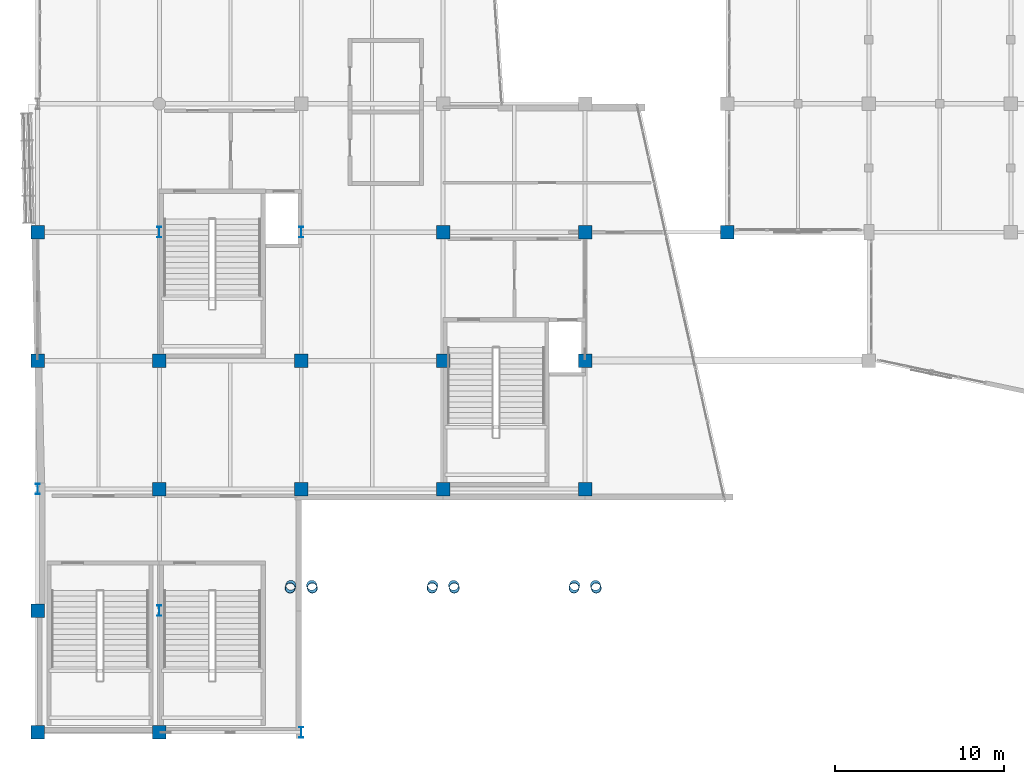
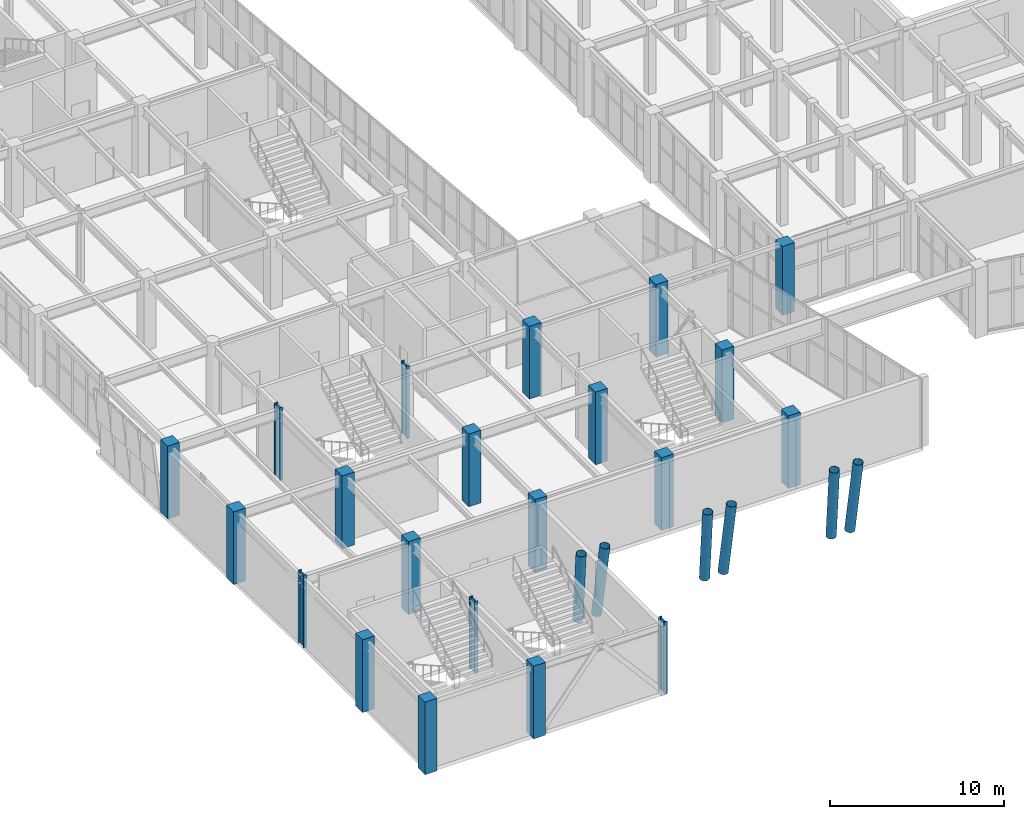
# One storey, part 1 of 128: 27 columns.
"""IFC4 building model written with IfcOpenShell, lengths in metres."""

import ifcopenshell
import ifcopenshell.guid

model = None  # the IFC model being written
_history = None  # IfcOwnerHistory: only IFC2X3 demands one
_inside = {}  # id of a spatial element -> (the spatial element, [elements in it])
_under = {}  # id of a project, library or spatial element -> (it, [spatial elements below it])
_declared = {}  # id of a project -> (the project, [libraries it declares])
_typed = {}  # id of a type object -> (the type object, [elements of that type])
_made_of = {}  # id of a material, layer set ... -> (it, [elements and type objects made of it])


def new_model(schema):
    """Start an empty IFC model of exactly this schema.

    Asked for "IFC4X3", IfcOpenShell would pick the latest addendum, in which some entities
    have other attributes; the version numbers below select the first issue.
    IFC2X3 requires an IfcOwnerHistory on every rooted entity: one is made here for all.
    """
    global model, _history
    if schema == "IFC4X3":
        model = ifcopenshell.file(schema_version=(4, 3, 0, 0))
    else:
        model = ifcopenshell.file(schema=schema)
    _inside.clear()
    _under.clear()
    _declared.clear()
    _typed.clear()
    _made_of.clear()
    _history = None
    if model.schema == "IFC2X3":
        org = make("IfcOrganization", Name="unknown")
        user = make(
            "IfcPersonAndOrganization",
            ThePerson=make("IfcPerson", FamilyName="unknown"),
            TheOrganization=org,
        )
        app = make(
            "IfcApplication",
            ApplicationDeveloper=org,
            Version="unknown",
            ApplicationFullName="unknown",
            ApplicationIdentifier="unknown",
        )
        _history = make(
            "IfcOwnerHistory",
            OwningUser=user,
            OwningApplication=app,
            ChangeAction="ADDED",
            CreationDate=0,
        )
    return model


def make(cls, **values):
    """One entity of the class cls with the attributes given. An attribute that is None is left unset."""
    return model.create_entity(
        cls, **{name: value for name, value in values.items() if value is not None}
    )


def rooted(cls, **values):
    """An entity with a GlobalId (a new one), such as an element, a storey or a relation."""
    return make(cls, GlobalId=ifcopenshell.guid.new(), OwnerHistory=_history, **values)


def si_unit(unit_type, name, prefix=None):
    """IfcSIUnit, for example si_unit("LENGTHUNIT", "METRE", prefix="MILLI")."""
    return make("IfcSIUnit", UnitType=unit_type, Prefix=prefix, Name=name)


def assignment(units):
    """IfcUnitAssignment: the units of a project."""
    return None if units is None else make("IfcUnitAssignment", Units=units)


def point(xyz):
    """IfcCartesianPoint."""
    return None if xyz is None else make("IfcCartesianPoint", Coordinates=xyz)


def direction(xyz):
    """IfcDirection."""
    return None if xyz is None else make("IfcDirection", DirectionRatios=xyz)


def frame(location, z_axis=None, x_axis=None):
    """IfcAxis2Placement3D, a coordinate frame: its origin and axes. An axis left out is left unset."""
    return make(
        "IfcAxis2Placement3D",
        Location=point(location),
        Axis=direction(z_axis),
        RefDirection=direction(x_axis),
    )


def frame_2d(location, x_axis=None):
    """IfcAxis2Placement2D, a coordinate frame in the plane: its origin and x axis."""
    return make(
        "IfcAxis2Placement2D", Location=point(location), RefDirection=direction(x_axis)
    )


def origin():
    """The frame at (0, 0, 0) with its axes left unset."""
    return frame((0.0, 0.0, 0.0))


def origin_2d():
    """The frame at (0, 0) in the plane with its x axis left unset."""
    return frame_2d((0.0, 0.0))


def place(relative_to, where):
    """IfcLocalPlacement: puts the frame where relative to a parent placement (None: the world)."""
    return make(
        "IfcLocalPlacement", PlacementRelTo=relative_to, RelativePlacement=where
    )


def context(
    kind, dimensions, precision=None, world=None, true_north=None, identifier=None
):
    """IfcGeometricRepresentationContext, for example the 3D "Model" context."""
    return make(
        "IfcGeometricRepresentationContext",
        ContextIdentifier=identifier,
        ContextType=kind,
        CoordinateSpaceDimension=dimensions,
        Precision=precision,
        WorldCoordinateSystem=world,
        TrueNorth=true_north,
    )


def subcontext(parent, identifier, kind, view, scale=None):
    """IfcGeometricRepresentationSubContext, for example "Body" below "Model"."""
    return make(
        "IfcGeometricRepresentationSubContext",
        ContextIdentifier=identifier,
        ContextType=kind,
        ParentContext=parent,
        TargetScale=scale,
        TargetView=view,
    )


def project(units=None, contexts=None):
    """IfcProject with its units and contexts."""
    return rooted(
        "IfcProject",
        Name="project",
        RepresentationContexts=contexts,
        UnitsInContext=assignment(units),
    )


def spatial(cls, under=None, at=None, **own):
    """A site, building, storey or space (cls), placed at a placement, below another one or the project."""
    s = rooted(cls, ObjectPlacement=at, **own)
    if under is not None:
        _under.setdefault(under.id(), (under, []))[1].append(s)
    return s


def profile(cls, at=None, kind="AREA", **sizes):
    """A parametric profile (cls). Its sizes go by their IFC names, for example OverallWidth=200.0."""
    return make(cls, ProfileType=kind, Position=at, **sizes)


def rectangle(**sizes):
    """IfcRectangleProfileDef."""
    return profile("IfcRectangleProfileDef", **sizes)


def hollow_circle(**sizes):
    """IfcCircleHollowProfileDef."""
    return profile("IfcCircleHollowProfileDef", **sizes)


def i_section(**sizes):
    """IfcIShapeProfileDef."""
    return profile("IfcIShapeProfileDef", **sizes)


def extrude(swept, where, along, depth):
    """IfcExtrudedAreaSolid: the profile swept, set in the frame where, extruded along a direction by depth."""
    return make(
        "IfcExtrudedAreaSolid",
        SweptArea=swept,
        Position=where,
        ExtrudedDirection=direction(along),
        Depth=depth,
    )


def shape(context_of_items, identifier, shape_type, items):
    """IfcShapeRepresentation: the items that make up one representation, for example the "Body"."""
    return make(
        "IfcShapeRepresentation",
        ContextOfItems=context_of_items,
        RepresentationIdentifier=identifier,
        RepresentationType=shape_type,
        Items=items,
    )


def material(Name=None, Category=None):
    """IfcMaterial."""
    return make("IfcMaterial", Name=Name, Category=Category)


def material_profile(
    of_material, cross_section, Name=None, Category=None, Priority=None
):
    """IfcMaterialProfile: a cross section and its material."""
    return make(
        "IfcMaterialProfile",
        Name=Name,
        Material=of_material,
        Profile=cross_section,
        Priority=Priority,
        Category=Category,
    )


def profile_set(profiles, Name=None, composite=None):
    """IfcMaterialProfileSet."""
    return make(
        "IfcMaterialProfileSet",
        Name=Name,
        MaterialProfiles=profiles,
        CompositeProfile=composite,
    )


def made_of(thing, what):
    """Note that an element or type object is made of a material, layer set ...; save() writes the relation."""
    if what is not None:
        _made_of.setdefault(what.id(), (what, []))[1].append(thing)
    return thing


def type_object(cls, material=None, **own):
    """A type object (cls), such as IfcWallType, which elements share."""
    return made_of(rooted(cls, **own), material)


def element(
    cls,
    number,
    at=None,
    inside=None,
    cuts=None,
    type_object=None,
    material=None,
    context=None,
    identifier="Body",
    shape_type=None,
    held_by="IfcProductDefinitionShape",
    body=None,
    shapes=None,
    **own,
):
    """One element of the class cls, such as IfcWall. Its Tag is "e" and its number.

    at: its placement. inside: the storey or other place that contains it. cuts: it is an
    opening in that element (IfcRelVoidsElement). A single representation is given by context,
    identifier, shape_type and body (its items); several are given by shapes. held_by: the class
    of the entity that holds the representations. save() writes the other relations.
    """
    e = rooted(cls, Tag="e%d" % number, ObjectPlacement=at, **own)
    if body is not None:
        shapes = [shape(context, identifier, shape_type, body)]
    if shapes is not None:
        e.Representation = make(held_by, Representations=shapes)
    if inside is not None:
        _inside.setdefault(inside.id(), (inside, []))[1].append(e)
    if cuts is not None:
        rooted(
            "IfcRelVoidsElement", RelatingBuildingElement=cuts, RelatedOpeningElement=e
        )
    if type_object is not None:
        _typed.setdefault(type_object.id(), (type_object, []))[1].append(e)
    return made_of(e, material)


def aggregate(whole, parts):
    """IfcRelAggregates: a whole, such as a stair, and the parts it consists of."""
    return rooted("IfcRelAggregates", RelatingObject=whole, RelatedObjects=parts)


def save(model, path):
    """Write the relations noted so far, then the file.

    IfcRelAggregates (storeys below a building ...), IfcRelContainedInSpatialStructure (elements
    in a storey), IfcRelDefinesByType, IfcRelAssociatesMaterial and IfcRelDeclares: one each for
    every whole, place, type object, material and project.
    """
    for whole, parts in _under.values():
        aggregate(whole, parts)
    for where, things in _inside.values():
        rooted(
            "IfcRelContainedInSpatialStructure",
            RelatedElements=things,
            RelatingStructure=where,
        )
    for kind, things in _typed.values():
        rooted("IfcRelDefinesByType", RelatedObjects=things, RelatingType=kind)
    for what, things in _made_of.values():
        rooted("IfcRelAssociatesMaterial", RelatedObjects=things, RelatingMaterial=what)
    for by, libraries in _declared.values():
        rooted("IfcRelDeclares", RelatingContext=by, RelatedDefinitions=libraries)
    model.write(path)


model = new_model("IFC4")

# Units and contexts
model_context = context("Model", 3, precision=1e-05, world=origin(), true_north=direction((0.0, 1.0)))
body_context = subcontext(model_context, "Body", "Model", "MODEL_VIEW")
ifc_project = project(units=[si_unit("LENGTHUNIT", "METRE"), si_unit("AREAUNIT", "SQUARE_METRE"), si_unit("VOLUMEUNIT", "CUBIC_METRE"), si_unit("PLANEANGLEUNIT", "RADIAN"), si_unit("MASSUNIT", "GRAM", prefix="KILO")], contexts=[model_context])

# Site, building, storey
site_placement = place(None, origin())
site = spatial("IfcSite", under=ifc_project, at=site_placement, CompositionType="ELEMENT")
building_placement = place(site_placement, origin())
building = spatial("IfcBuilding", under=site, at=building_placement, Name="Xicomal Pleat Aquarium", CompositionType="ELEMENT")
storey_placement = place(building_placement, frame((0.0, 0.0, 5.39990234375)))
storey = spatial("IfcBuildingStorey", under=building, at=storey_placement, Name="L02", CompositionType="ELEMENT", Elevation=5.39990234375)

# Columns
ifc_material_1 = material(Name="Concrete C40/50", Category="concrete")
ifc_material_profile_1 = material_profile(ifc_material_1, rectangle(XDim=0.800048828125, YDim=0.800048828125, at=origin_2d()), Name="RC 800x800")
ifc_profile_set_1 = profile_set([ifc_material_profile_1], Name="Concrete C40/50")
column_type_1 = type_object("IfcColumnType", Name="COL-RC-800x800", PredefinedType="COLUMN", material=ifc_profile_set_1)
for number, where, z_axis, x_axis, name in (
    (1, (3.0, 0.800048828125, 0.0), (0.0, 0.0, 1.0), (1.0, 0.0, 0.0), "L02 column 01/A"),
    (2, (3.0, 8.0, 0.0), (0.0, 0.0, 1.0), (1.0, 0.0, 0.0), "L02 column 01/B"),
    (3, (3.0, 22.800048828125, 0.0), (0.0, 0.0, 1.0), (1.0, 0.0, 0.0), "L02 column 01/D"),
    (4, (3.0, 30.39990234375, 0.0), (0.0, 0.0, 1.0), (1.0, 0.0, 0.0), "L02 column 01/E"),
    (5, (10.199951171875, 0.800048828125, 0.0), (0.0, 0.0, 1.0), (1.0, 0.0, 0.0), "L02 column 02/A"),
    (6, (10.199951171875, 15.199951171875, 0.0), (0.0, 0.0, 1.0), (1.0, 0.0, 0.0), "L02 column 02/C"),
    (7, (10.199951171875, 22.800048828125, 0.0), (0.0, 0.0, 1.0), (1.0, 0.0, 0.0), "L02 column 02/D"),
    (8, (18.60009765625, 15.199951171875, 0.0), (0.0, 0.0, 1.0), (1.0, 0.0, 0.0), "L02 column 03/C"),
    (9, (18.60009765625, 22.800048828125, 0.0), (0.0, 0.0, 1.0), (1.0, 0.0, 0.0), "L02 column 03/D"),
    (10, (27.0, 15.199951171875, 0.0), (0.0, 0.0, 1.0), (1.0, 0.0, 0.0), "L02 column 04/C"),
    (11, (27.0, 22.800048828125, 0.0), (0.0, 0.0, 1.0), (1.0, 0.0, 0.0), "L02 column 04/D"),
    (12, (27.0, 30.39990234375, 0.0), (0.0, 0.0, 1.0), (1.0, 0.0, 0.0), "L02 column 04/E"),
    (13, (35.39990234375, 15.199951171875, 0.0), (0.0, 0.0, 1.0), (1.0, 0.0, 0.0), "L02 column 05/C"),
    (14, (35.39990234375, 22.800048828125, 0.0), (0.0, 0.0, 1.0), (1.0, 0.0, 0.0), "L02 column 05/D"),
    (15, (35.39990234375, 30.39990234375, 0.0), (0.0, 0.0, 1.0), (1.0, 0.0, 0.0), "L02 column 05/E"),
):
    element("IfcColumn", number, at=place(storey_placement, frame(where, z_axis=z_axis, x_axis=x_axis)), inside=storey, type_object=column_type_1, Name=name, PredefinedType="COLUMN", context=body_context, shape_type="SweptSolid", body=[
        extrude(rectangle(XDim=0.800048828125, YDim=0.800048828125, at=origin_2d()), origin(), (0.0, 0.0, 1.0), 5.10009765625),
    ])
column_placement = place(storey_placement, frame((43.800048828125, 30.39990234375, 0.0), z_axis=(0.0, 0.0, 1.0), x_axis=(1.0, 0.0, 0.0)))
element("IfcColumn", 16, at=column_placement, inside=storey, type_object=column_type_1, Name="L02 column 06/E", PredefinedType="COLUMN", context=body_context, shape_type="SweptSolid", body=[
    extrude(rectangle(XDim=0.800048828125, YDim=0.800048828125, at=origin_2d()), origin(), (0.0, 0.0, 1.0), 4.820068359375),
])
ifc_material_2 = material(Name="Structural steel A992 Gr 50", Category="steel")
ifc_material_profile_2 = material_profile(ifc_material_2, i_section(OverallWidth=0.22998046875, OverallDepth=0.616943359375, WebThickness=0.01318359375, FlangeThickness=0.022216796875, at=origin_2d()), Name="IR 610x140")
ifc_profile_set_2 = profile_set([ifc_material_profile_2], Name="Structural steel A992 Gr 50")
column_type_2 = type_object("IfcColumnType", Name="COL-STL-IR610", PredefinedType="COLUMN", material=ifc_profile_set_2)
for number, where, z_axis, x_axis, name in (
    (17, (3.0, 15.199951171875, 0.0), (0.0, 0.0, 1.0), (1.0, 0.0, 0.0), "L02 column 01/C"),
    (18, (10.199951171875, 8.0, 0.0), (0.0, 0.0, 1.0), (1.0, 0.0, 0.0), "L02 column 02/B"),
    (19, (10.199951171875, 30.39990234375, 0.0), (0.0, 0.0, 1.0), (1.0, 0.0, 0.0), "L02 column 02/E"),
    (20, (18.60009765625, 0.800048828125, 0.0), (0.0, 0.0, 1.0), (1.0, 0.0, 0.0), "L02 column 03/A"),
    (21, (18.60009765625, 30.39990234375, 0.0), (0.0, 0.0, 1.0), (1.0, 0.0, 0.0), "L02 column 03/E"),
):
    element("IfcColumn", number, at=place(storey_placement, frame(where, z_axis=z_axis, x_axis=x_axis)), inside=storey, type_object=column_type_2, Name=name, PredefinedType="COLUMN", context=body_context, shape_type="SweptSolid", body=[
        extrude(i_section(OverallWidth=0.22998046875, OverallDepth=0.616943359375, WebThickness=0.01318359375, FlangeThickness=0.022216796875, at=origin_2d()), origin(), (0.0, 0.0, 1.0), 5.10009765625),
    ])
ifc_material_3 = material(Name="Architectural steel ASTM A572 Gr 50", Category="steel")
ifc_material_profile_3 = material_profile(ifc_material_3, hollow_circle(Radius=0.304931640625, WallThickness=0.02392578125, at=origin_2d()), Name="OC 610x24")
ifc_profile_set_3 = profile_set([ifc_material_profile_3], Name="Architectural steel ASTM A572 Gr 50")
column_type_3 = type_object("IfcColumnType", Name="COL-STL-OC610", PredefinedType="COLUMN", material=ifc_profile_set_3)
for number, where, z_axis, x_axis, name in (
    (22, (17.98095703125, 9.492919921875, 0.006103515625), (-0.032903398064, -0.130472433943, 0.990905802979), (0.969641575519, -0.244530601406, 0.0), "L02 entrance pavilion splayed steel column 03W"),
    (23, (19.218994140625, 9.492919921875, 0.006103515625), (0.032903398064, -0.130472433943, 0.990905802979), (0.969641575519, 0.244530601406, 0.0), "L02 entrance pavilion splayed steel column 03E"),
    (24, (26.381103515625, 9.492919921875, 0.006103515625), (-0.032950894739, -0.130472229672, 0.990904251591), (0.969557739833, -0.24486279654, 0.0), "L02 entrance pavilion splayed steel column 04W"),
    (25, (27.618896484375, 9.492919921875, 0.006103515625), (0.032950894739, -0.130472229672, 0.990904251591), (0.969557739833, 0.24486279654, 0.0), "L02 entrance pavilion splayed steel column 04E"),
    (26, (34.781005859375, 9.492919921875, 0.006103515625), (-0.032903398064, -0.130472433943, 0.990905802979), (0.969641575519, -0.244530601406, 0.0), "L02 entrance pavilion splayed steel column 05W"),
    (27, (36.01904296875, 9.492919921875, 0.006103515625), (0.032903398064, -0.130472433943, 0.990905802979), (0.969641575519, 0.244530601406, 0.0), "L02 entrance pavilion splayed steel column 05E"),
):
    element("IfcColumn", number, at=place(storey_placement, frame(where, z_axis=z_axis, x_axis=x_axis)), inside=storey, type_object=column_type_3, Name=name, PredefinedType="COLUMN", context=body_context, shape_type="SweptSolid", body=[
        extrude(hollow_circle(Radius=0.304931640625, WallThickness=0.02392578125, at=origin_2d()), origin(), (0.0, 0.0, 1.0), 5.134521484375),
    ])

save(model, "model.ifc")
